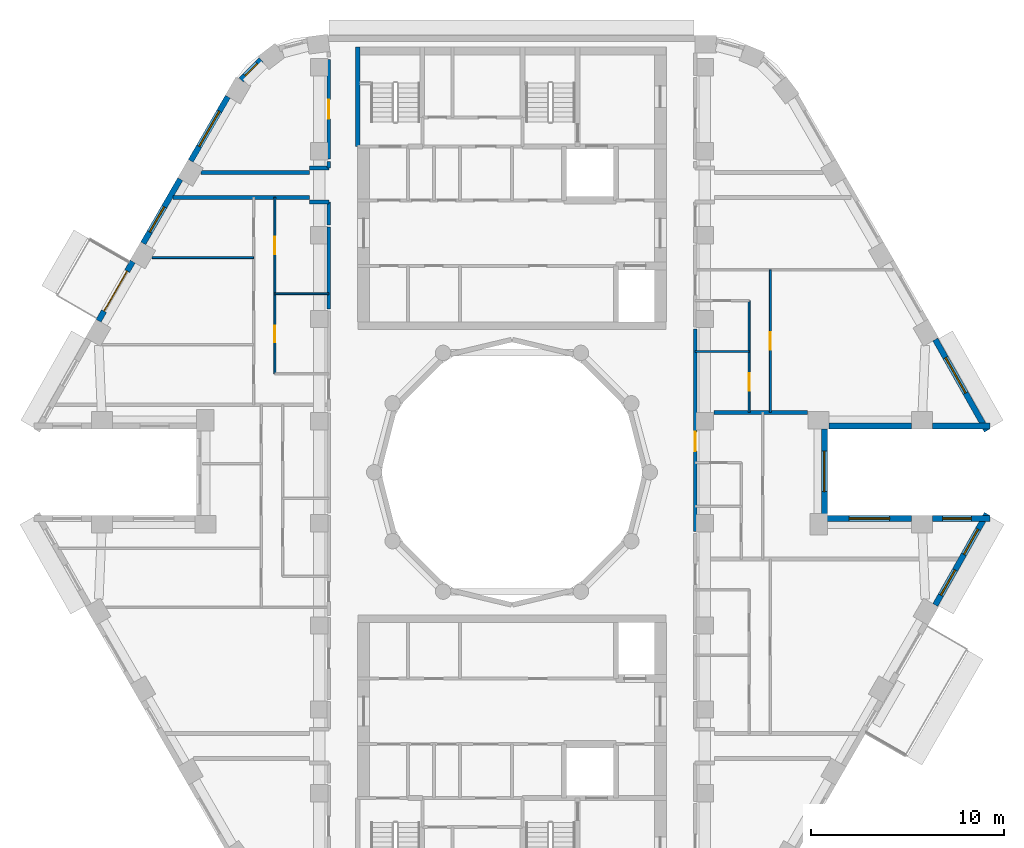
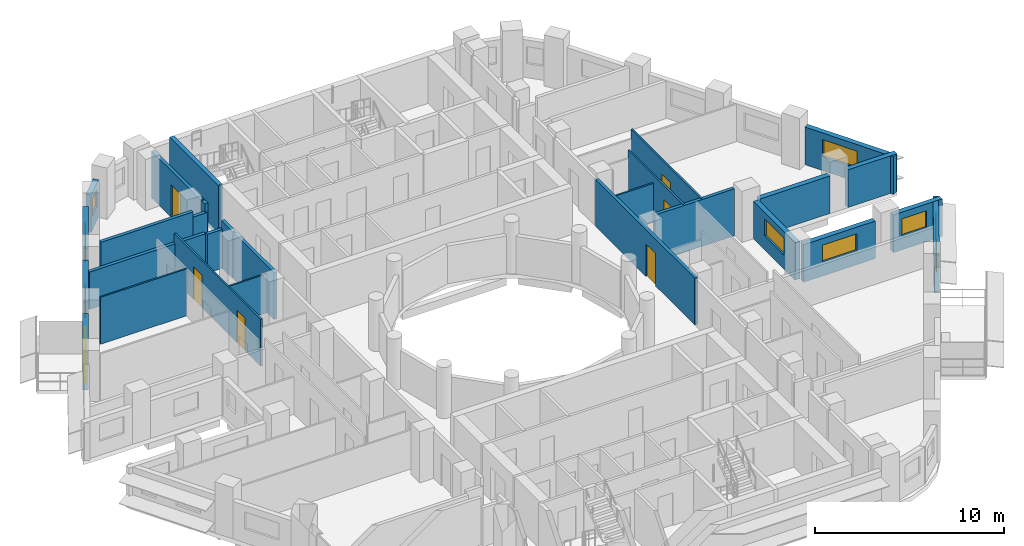
# One storey, part 6 of 14: 28 walls, 9 windows, 7 doors, 16 openings.
"""IFC4 building model written with IfcOpenShell, lengths in metres."""

import ifcopenshell
import ifcopenshell.guid

model = None  # the IFC model being written
_history = None  # IfcOwnerHistory: only IFC2X3 demands one
_inside = {}  # id of a spatial element -> (the spatial element, [elements in it])
_under = {}  # id of a project, library or spatial element -> (it, [spatial elements below it])
_declared = {}  # id of a project -> (the project, [libraries it declares])
_typed = {}  # id of a type object -> (the type object, [elements of that type])
_made_of = {}  # id of a material, layer set ... -> (it, [elements and type objects made of it])


def new_model(schema):
    """Start an empty IFC model of exactly this schema.

    Asked for "IFC4X3", IfcOpenShell would pick the latest addendum, in which some entities
    have other attributes; the version numbers below select the first issue.
    IFC2X3 requires an IfcOwnerHistory on every rooted entity: one is made here for all.
    """
    global model, _history
    if schema == "IFC4X3":
        model = ifcopenshell.file(schema_version=(4, 3, 0, 0))
    else:
        model = ifcopenshell.file(schema=schema)
    _inside.clear()
    _under.clear()
    _declared.clear()
    _typed.clear()
    _made_of.clear()
    _history = None
    if model.schema == "IFC2X3":
        org = make("IfcOrganization", Name="unknown")
        user = make(
            "IfcPersonAndOrganization",
            ThePerson=make("IfcPerson", FamilyName="unknown"),
            TheOrganization=org,
        )
        app = make(
            "IfcApplication",
            ApplicationDeveloper=org,
            Version="unknown",
            ApplicationFullName="unknown",
            ApplicationIdentifier="unknown",
        )
        _history = make(
            "IfcOwnerHistory",
            OwningUser=user,
            OwningApplication=app,
            ChangeAction="ADDED",
            CreationDate=0,
        )
    return model


def make(cls, **values):
    """One entity of the class cls with the attributes given. An attribute that is None is left unset."""
    return model.create_entity(
        cls, **{name: value for name, value in values.items() if value is not None}
    )


def rooted(cls, **values):
    """An entity with a GlobalId (a new one), such as an element, a storey or a relation."""
    return make(cls, GlobalId=ifcopenshell.guid.new(), OwnerHistory=_history, **values)


def si_unit(unit_type, name, prefix=None):
    """IfcSIUnit, for example si_unit("LENGTHUNIT", "METRE", prefix="MILLI")."""
    return make("IfcSIUnit", UnitType=unit_type, Prefix=prefix, Name=name)


def assignment(units):
    """IfcUnitAssignment: the units of a project."""
    return None if units is None else make("IfcUnitAssignment", Units=units)


def point(xyz):
    """IfcCartesianPoint."""
    return None if xyz is None else make("IfcCartesianPoint", Coordinates=xyz)


def direction(xyz):
    """IfcDirection."""
    return None if xyz is None else make("IfcDirection", DirectionRatios=xyz)


def frame(location, z_axis=None, x_axis=None):
    """IfcAxis2Placement3D, a coordinate frame: its origin and axes. An axis left out is left unset."""
    return make(
        "IfcAxis2Placement3D",
        Location=point(location),
        Axis=direction(z_axis),
        RefDirection=direction(x_axis),
    )


def frame_2d(location, x_axis=None):
    """IfcAxis2Placement2D, a coordinate frame in the plane: its origin and x axis."""
    return make(
        "IfcAxis2Placement2D", Location=point(location), RefDirection=direction(x_axis)
    )


def origin():
    """The frame at (0, 0, 0) with its axes left unset."""
    return frame((0.0, 0.0, 0.0))


def place(relative_to, where):
    """IfcLocalPlacement: puts the frame where relative to a parent placement (None: the world)."""
    return make(
        "IfcLocalPlacement", PlacementRelTo=relative_to, RelativePlacement=where
    )


def context(
    kind, dimensions, precision=None, world=None, true_north=None, identifier=None
):
    """IfcGeometricRepresentationContext, for example the 3D "Model" context."""
    return make(
        "IfcGeometricRepresentationContext",
        ContextIdentifier=identifier,
        ContextType=kind,
        CoordinateSpaceDimension=dimensions,
        Precision=precision,
        WorldCoordinateSystem=world,
        TrueNorth=true_north,
    )


def subcontext(parent, identifier, kind, view, scale=None):
    """IfcGeometricRepresentationSubContext, for example "Body" below "Model"."""
    return make(
        "IfcGeometricRepresentationSubContext",
        ContextIdentifier=identifier,
        ContextType=kind,
        ParentContext=parent,
        TargetScale=scale,
        TargetView=view,
    )


def project(units=None, contexts=None):
    """IfcProject with its units and contexts."""
    return rooted(
        "IfcProject",
        Name="project",
        RepresentationContexts=contexts,
        UnitsInContext=assignment(units),
    )


def spatial(cls, under=None, at=None, **own):
    """A site, building, storey or space (cls), placed at a placement, below another one or the project."""
    s = rooted(cls, ObjectPlacement=at, **own)
    if under is not None:
        _under.setdefault(under.id(), (under, []))[1].append(s)
    return s


def profile(cls, at=None, kind="AREA", **sizes):
    """A parametric profile (cls). Its sizes go by their IFC names, for example OverallWidth=200.0."""
    return make(cls, ProfileType=kind, Position=at, **sizes)


def rectangle(**sizes):
    """IfcRectangleProfileDef."""
    return profile("IfcRectangleProfileDef", **sizes)


def extrude(swept, where, along, depth):
    """IfcExtrudedAreaSolid: the profile swept, set in the frame where, extruded along a direction by depth."""
    return make(
        "IfcExtrudedAreaSolid",
        SweptArea=swept,
        Position=where,
        ExtrudedDirection=direction(along),
        Depth=depth,
    )


def shape(context_of_items, identifier, shape_type, items):
    """IfcShapeRepresentation: the items that make up one representation, for example the "Body"."""
    return make(
        "IfcShapeRepresentation",
        ContextOfItems=context_of_items,
        RepresentationIdentifier=identifier,
        RepresentationType=shape_type,
        Items=items,
    )


def material(Name=None, Category=None):
    """IfcMaterial."""
    return make("IfcMaterial", Name=Name, Category=Category)


def layer(
    of_material, thickness, ventilated=None, Name=None, Category=None, Priority=None
):
    """IfcMaterialLayer: one layer of a wall or slab, of a material (None: an air gap)."""
    return make(
        "IfcMaterialLayer",
        Material=of_material,
        LayerThickness=thickness,
        IsVentilated=ventilated,
        Name=Name,
        Category=Category,
        Priority=Priority,
    )


def layer_set(layers, Name=None):
    """IfcMaterialLayerSet."""
    return make("IfcMaterialLayerSet", MaterialLayers=layers, LayerSetName=Name)


def made_of(thing, what):
    """Note that an element or type object is made of a material, layer set ...; save() writes the relation."""
    if what is not None:
        _made_of.setdefault(what.id(), (what, []))[1].append(thing)
    return thing


def type_object(cls, material=None, **own):
    """A type object (cls), such as IfcWallType, which elements share."""
    return made_of(rooted(cls, **own), material)


def element(
    cls,
    number,
    at=None,
    inside=None,
    cuts=None,
    type_object=None,
    material=None,
    context=None,
    identifier="Body",
    shape_type=None,
    held_by="IfcProductDefinitionShape",
    body=None,
    shapes=None,
    **own,
):
    """One element of the class cls, such as IfcWall. Its Tag is "e" and its number.

    at: its placement. inside: the storey or other place that contains it. cuts: it is an
    opening in that element (IfcRelVoidsElement). A single representation is given by context,
    identifier, shape_type and body (its items); several are given by shapes. held_by: the class
    of the entity that holds the representations. save() writes the other relations.
    """
    e = rooted(cls, Tag="e%d" % number, ObjectPlacement=at, **own)
    if body is not None:
        shapes = [shape(context, identifier, shape_type, body)]
    if shapes is not None:
        e.Representation = make(held_by, Representations=shapes)
    if inside is not None:
        _inside.setdefault(inside.id(), (inside, []))[1].append(e)
    if cuts is not None:
        rooted(
            "IfcRelVoidsElement", RelatingBuildingElement=cuts, RelatedOpeningElement=e
        )
    if type_object is not None:
        _typed.setdefault(type_object.id(), (type_object, []))[1].append(e)
    return made_of(e, material)


def fill(opening, filler):
    """IfcRelFillsElement: the door or window that sits in an opening."""
    return rooted(
        "IfcRelFillsElement",
        RelatingOpeningElement=opening,
        RelatedBuildingElement=filler,
    )


def aggregate(whole, parts):
    """IfcRelAggregates: a whole, such as a stair, and the parts it consists of."""
    return rooted("IfcRelAggregates", RelatingObject=whole, RelatedObjects=parts)


def save(model, path):
    """Write the relations noted so far, then the file.

    IfcRelAggregates (storeys below a building ...), IfcRelContainedInSpatialStructure (elements
    in a storey), IfcRelDefinesByType, IfcRelAssociatesMaterial and IfcRelDeclares: one each for
    every whole, place, type object, material and project.
    """
    for whole, parts in _under.values():
        aggregate(whole, parts)
    for where, things in _inside.values():
        rooted(
            "IfcRelContainedInSpatialStructure",
            RelatedElements=things,
            RelatingStructure=where,
        )
    for kind, things in _typed.values():
        rooted("IfcRelDefinesByType", RelatedObjects=things, RelatingType=kind)
    for what, things in _made_of.values():
        rooted("IfcRelAssociatesMaterial", RelatedObjects=things, RelatingMaterial=what)
    for by, libraries in _declared.values():
        rooted("IfcRelDeclares", RelatingContext=by, RelatedDefinitions=libraries)
    model.write(path)


model = new_model("IFC4")

# Units and contexts
model_context = context("Model", 3, precision=1e-05, world=origin(), true_north=direction((0.0, 1.0)))
body_context = subcontext(model_context, "Body", "Model", "MODEL_VIEW")
ifc_project = project(units=[si_unit("LENGTHUNIT", "METRE"), si_unit("AREAUNIT", "SQUARE_METRE"), si_unit("VOLUMEUNIT", "CUBIC_METRE"), si_unit("PLANEANGLEUNIT", "RADIAN"), si_unit("MASSUNIT", "GRAM", prefix="KILO")], contexts=[model_context])

# Site, building, storey
site_placement = place(None, origin())
site = spatial("IfcSite", under=ifc_project, at=site_placement, CompositionType="ELEMENT")
building_placement = place(site_placement, origin())
building = spatial("IfcBuilding", under=site, at=building_placement, Name="Nakaniwa Court", CompositionType="ELEMENT")
storey_placement = place(building_placement, frame((0.0, 0.0, 259.199951171875)))
storey = spatial("IfcBuildingStorey", under=building, at=storey_placement, Name="L68", CompositionType="ELEMENT", Elevation=259.199951171875)

# Wall, opening, door
ifc_material_1 = material(Name="Acoustic double stud partition")
ifc_layer_1 = layer(ifc_material_1, 0.199951171875)
ifc_layer_set_1 = layer_set([ifc_layer_1], Name="Acoustic double stud partition")
wall_type_1 = type_object("IfcWallType", Name="Acoustic double stud partition 200", PredefinedType="PARTITIONING", material=ifc_layer_set_1)
wall_1_placement = place(storey_placement, frame((89.5, 87.423095703125, 0.0), z_axis=(0.0, 0.0, 1.0), x_axis=(0.0, -1.0, 0.0)))
wall_1 = element("IfcWall", 1, at=wall_1_placement, inside=storey, type_object=wall_type_1, Name="Partition PW-062", PredefinedType="PARTITIONING", context=body_context, shape_type="SweptSolid", body=[
    extrude(rectangle(XDim=10.486083984375, YDim=0.199951171875, at=frame_2d((5.2431640625, 0.0))), origin(), (0.0, 0.0, 1.0), 3.025146484375),
])
opening_1_placement = place(wall_1_placement, frame((5.322998046875, 0.0, 0.0)))
opening_1 = element("IfcOpeningElement", 2, at=opening_1_placement, cuts=wall_1, Name="Opening D-01-02", PredefinedType="OPENING", context=body_context, shape_type="SweptSolid", body=[
    extrude(rectangle(XDim=1.0, YDim=2.10009765625, at=frame_2d((0.5, 1.050048828125))), frame((0.0, 0.10986328125, 0.0), z_axis=(0.0, -1.0, 0.0), x_axis=(1.0, 0.0, 0.0)), (0.0, 0.0, 1.0), 0.219970703125),
])
ifc_material_2 = material(Name="Solid core timber door set, black veneer", Category="wood")
door_type_1 = type_object("IfcDoorType", Name="Flat entrance door 1000", OperationType="NOTDEFINED", PredefinedType="DOOR", material=ifc_material_2)
door_1_placement = place(opening_1_placement, origin())
door_1 = element("IfcDoor", 3, at=door_1_placement, inside=storey, type_object=door_type_1, Name="Door D-01-02 L68-033", OperationType="SINGLE_SWING_RIGHT", OverallHeight=2.10009765625, OverallWidth=1.0, PredefinedType="DOOR", context=body_context, shape_type="SweptSolid", body=[
    extrude(rectangle(XDim=1.0, YDim=2.10009765625, at=frame_2d((0.5, 1.050048828125))), frame((0.0, 0.02490234375, 0.0), z_axis=(0.0, -1.0, 0.0), x_axis=(1.0, 0.0, 0.0)), (0.0, 0.0, 1.0), 0.050048828125),
])
fill(opening_1, door_1)

# Walls
wall_2_placement = place(storey_placement, frame((62.419677734375, 94.25, 0.0), z_axis=(0.0, 0.0, 1.0), x_axis=(1.0, 0.0, 0.0)))
element("IfcWall", 4, at=wall_2_placement, inside=storey, type_object=wall_type_1, Name="Partition PW-068", PredefinedType="PARTITIONING", context=body_context, shape_type="SweptSolid", body=[
    extrude(rectangle(XDim=7.080322265625, YDim=0.199951171875, at=frame_2d((3.5400390625, 0.0))), origin(), (0.0, 0.0, 1.0), 2.405029296875),
])
for number, where, z_axis, x_axis, name in (
    (5, (69.5, 94.02490234375, 0.0), (0.0, 0.0, 1.0), (1.0, 0.0, 0.0), "Partition PW-070"),
    (6, (69.5, 95.77490234375, 0.0), (0.0, 0.0, 1.0), (1.0, 0.0, 0.0), "Partition PW-072"),
):
    element("IfcWall", number, at=place(storey_placement, frame(where, z_axis=z_axis, x_axis=x_axis)), inside=storey, type_object=wall_type_1, Name=name, PredefinedType="PARTITIONING", context=body_context, shape_type="SweptSolid", body=[
        extrude(rectangle(XDim=1.0, YDim=0.199951171875, at=frame_2d((0.5, 0.0))), origin(), (0.0, 0.0, 1.0), 2.505126953125),
    ])
wall_3_placement = place(storey_placement, frame((63.88330078125, 95.550048828125, 0.0), z_axis=(0.0, 0.0, 1.0), x_axis=(1.0, 0.0, 0.0)))
element("IfcWall", 7, at=wall_3_placement, inside=storey, type_object=wall_type_1, Name="Partition PW-074", PredefinedType="PARTITIONING", context=body_context, shape_type="SweptSolid", body=[
    extrude(rectangle(XDim=5.61669921875, YDim=0.199951171875, at=frame_2d((2.808349609375, 0.0))), origin(), (0.0, 0.0, 1.0), 3.025146484375),
])
wall_4_placement = place(storey_placement, frame((70.5, 88.47705078125, 0.0), z_axis=(0.0, 0.0, 1.0), x_axis=(0.0, 1.0, 0.0)))
element("IfcWall", 8, at=wall_4_placement, inside=storey, type_object=wall_type_1, Name="Partition PW-092", PredefinedType="PARTITIONING", context=body_context, shape_type="SweptSolid", body=[
    extrude(rectangle(XDim=4.23583984375, YDim=0.199951171875, at=frame_2d((2.117919921875, 0.0))), origin(), (0.0, 0.0, 1.0), 3.025146484375),
])
wall_5_placement = place(storey_placement, frame((70.5, 92.826904296875, 0.0), z_axis=(0.0, 0.0, 1.0), x_axis=(0.0, 1.0, 0.0)))
element("IfcWall", 9, at=wall_5_placement, inside=storey, type_object=wall_type_1, Name="Partition PW-093", PredefinedType="PARTITIONING", context=body_context, shape_type="SweptSolid", body=[
    extrude(rectangle(XDim=1.201171875, YDim=0.199951171875, at=frame_2d((0.6005859375, 0.0))), origin(), (0.0, 0.0, 1.0), 3.025146484375),
])
wall_6_placement = place(storey_placement, frame((70.5, 95.77197265625, 0.0), z_axis=(0.0, 0.0, 1.0), x_axis=(0.0, 1.0, 0.0)))
element("IfcWall", 10, at=wall_6_placement, inside=storey, type_object=wall_type_1, Name="Partition PW-094", PredefinedType="PARTITIONING", context=body_context, shape_type="SweptSolid", body=[
    extrude(rectangle(XDim=0.35107421875, YDim=0.199951171875, at=frame_2d((0.175537109375, 0.0))), origin(), (0.0, 0.0, 1.0), 3.025146484375),
])

# Wall, opening, door
wall_7_placement = place(storey_placement, frame((70.5, 96.237060546875, 0.0), z_axis=(0.0, 0.0, 1.0), x_axis=(0.0, 1.0, 0.0)))
wall_7 = element("IfcWall", 11, at=wall_7_placement, inside=storey, type_object=wall_type_1, Name="Partition PW-095", PredefinedType="PARTITIONING", context=body_context, shape_type="SweptSolid", body=[
    extrude(rectangle(XDim=5.176025390625, YDim=0.199951171875, at=frame_2d((2.587890625, 0.0))), origin(), (0.0, 0.0, 1.0), 3.025146484375),
])
opening_2_placement = place(wall_7_placement, frame((2.087890625, 0.0, 0.0)))
opening_2 = element("IfcOpeningElement", 12, at=opening_2_placement, cuts=wall_7, Name="Opening D-02-02", PredefinedType="OPENING", context=body_context, shape_type="SweptSolid", body=[
    extrude(rectangle(XDim=1.0, YDim=2.10009765625, at=frame_2d((0.5, 1.050048828125))), frame((0.0, 0.10986328125, 0.0), z_axis=(0.0, -1.0, 0.0), x_axis=(1.0, 0.0, 0.0)), (0.0, 0.0, 1.0), 0.219970703125),
])
door_type_2 = type_object("IfcDoorType", Name="Internal door 1000", OperationType="NOTDEFINED", PredefinedType="DOOR", material=ifc_material_2)
door_2_placement = place(opening_2_placement, origin())
door_2 = element("IfcDoor", 13, at=door_2_placement, inside=storey, type_object=door_type_2, Name="Door D-02-02 L68-054", OperationType="SINGLE_SWING_LEFT", OverallHeight=2.10009765625, OverallWidth=1.0, PredefinedType="DOOR", context=body_context, shape_type="SweptSolid", body=[
    extrude(rectangle(XDim=1.0, YDim=2.10009765625, at=frame_2d((0.5, 1.050048828125))), frame((0.0, 0.02490234375, 0.0), z_axis=(0.0, -1.0, 0.0), x_axis=(1.0, 0.0, 0.0)), (0.0, 0.0, 1.0), 0.050048828125),
])
fill(opening_2, door_2)

# Walls
wall_8_placement = place(storey_placement, frame((90.469970703125, 83.10009765625, 0.0), z_axis=(0.0, 0.0, 1.0), x_axis=(1.0, 0.0, 0.0)))
element("IfcWall", 14, at=wall_8_placement, inside=storey, type_object=wall_type_1, Name="Partition PW-108", PredefinedType="PARTITIONING", context=body_context, shape_type="SweptSolid", body=[
    extrude(rectangle(XDim=4.859619140625, YDim=0.199951171875, at=frame_2d((2.4296875, 0.0))), origin(), (0.0, 0.0, 1.0), 3.025146484375),
])
ifc_material_3 = material(Name="Charcoal ceramic cladding")
ifc_layer_2 = layer(ifc_material_3, 0.02, Name="Ceramic cladding")
ifc_material_4 = material(Name="Ventilated air cavity")
ifc_layer_3 = layer(ifc_material_4, 0.04, ventilated=True, Name="Ventilated cavity")
ifc_material_5 = material(Name="Mineral wool insulation")
ifc_layer_4 = layer(ifc_material_5, 0.1, Name="Insulation")
ifc_material_6 = material(Name="Cement bonded sheathing board")
ifc_layer_5 = layer(ifc_material_6, 0.012, Name="Sheathing")
ifc_material_7 = material(Name="Cold-formed galvanised stud frame with mineral wool infill")
ifc_layer_6 = layer(ifc_material_7, 0.1, Name="Stud frame")
ifc_material_8 = material(Name="Fire-rated gypsum plasterboard lining")
ifc_layer_7 = layer(ifc_material_8, 0.028, Name="Lining")
ifc_layer_set_2 = layer_set([ifc_layer_2, ifc_layer_3, ifc_layer_4, ifc_layer_5, ifc_layer_6, ifc_layer_7], Name="Charcoal ceramic faced external wall system")
wall_type_2 = type_object("IfcWallType", Name="Black ceramic faced external wall 300", PredefinedType="SOLIDWALL", material=ifc_layer_set_2)
wall_9_placement = place(storey_placement, frame((96.445556640625, 82.39990234375, 0.0), z_axis=(0.0, 0.0, 1.0), x_axis=(1.0, 0.0, 0.0)))
element("IfcWall", 15, at=wall_9_placement, inside=storey, type_object=wall_type_2, Name="L68 external wall 00", PredefinedType="SOLIDWALL", context=body_context, shape_type="SweptSolid", body=[
    extrude(rectangle(XDim=4.2724609375, YDim=0.300048828125, at=frame_2d((2.13623046875, 0.0))), origin(), (0.0, 0.0, 1.0), 2.425048828125),
])
wall_10_placement = place(storey_placement, frame((101.81005859375, 82.39990234375, 0.0), z_axis=(0.0, 0.0, 1.0), x_axis=(1.0, 0.0, 0.0)))
element("IfcWall", 16, at=wall_10_placement, inside=storey, type_object=wall_type_2, Name="L68 external wall 01", PredefinedType="SOLIDWALL", context=body_context, shape_type="SweptSolid", body=[
    extrude(rectangle(XDim=2.98779296875, YDim=0.300048828125, at=frame_2d((1.493896484375, 0.0))), origin(), (0.0, 0.0, 1.0), 2.425048828125),
])

# Wall, opening, window
wall_11_placement = place(storey_placement, frame((104.627197265625, 82.153564453125, 0.0), z_axis=(0.0, 0.0, 1.0), x_axis=(-0.492080931903, 0.870549456641, 0.0)))
wall_11 = element("IfcWall", 17, at=wall_11_placement, inside=storey, type_object=wall_type_2, Name="L68 external wall 02", PredefinedType="SOLIDWALL", context=body_context, shape_type="SweptSolid", body=[
    extrude(rectangle(XDim=5.436767578125, YDim=0.300048828125, at=frame_2d((2.71826171875, 0.0))), origin(), (0.0, 0.0, 1.0), 2.425048828125),
])
opening_3_placement = place(wall_11_placement, frame((2.247314453125, 0.0, 0.89990234375)))
opening_3 = element("IfcOpeningElement", 18, at=opening_3_placement, cuts=wall_11, Name="Opening W7.01", PredefinedType="OPENING", context=body_context, shape_type="SweptSolid", body=[
    extrude(rectangle(XDim=2.10009765625, YDim=1.10009765625, at=frame_2d((1.050048828125, 0.550048828125))), frame((0.0, 0.159912109375, 0.0), z_axis=(0.0, -1.0, 0.0), x_axis=(1.0, 0.0, 0.0)), (0.0, 0.0, 1.0), 0.320068359375),
])
ifc_material_9 = material(Name="Black anodised aluminium frame with dark low-E laminated double glazing", Category="aluminium")
window_type_1 = type_object("IfcWindowType", Name="Dark glass window 2100x1100 sill 900", PartitioningType="SINGLE_PANEL", PredefinedType="WINDOW", material=ifc_material_9)
window_1_placement = place(opening_3_placement, origin())
window_1 = element("IfcWindow", 19, at=window_1_placement, inside=storey, type_object=window_type_1, Name="L68 living window 02-0", OverallHeight=1.10009765625, OverallWidth=2.10009765625, PartitioningType="SINGLE_PANEL", PredefinedType="WINDOW", context=body_context, shape_type="SweptSolid", body=[
    extrude(rectangle(XDim=2.10009765625, YDim=1.10009765625, at=frame_2d((1.050048828125, 0.550048828125))), frame((0.0, 0.030029296875, 0.0), z_axis=(0.0, -1.0, 0.0), x_axis=(1.0, 0.0, 0.0)), (0.0, 0.0, 1.0), 0.06005859375),
])
fill(opening_3, window_1)

wall_12_placement = place(storey_placement, frame((66.99560546875, 101.388427734375, 0.0), z_axis=(0.0, 0.0, 1.0), x_axis=(-0.708589353117, -0.705621094249, 0.0)))
wall_12 = element("IfcWall", 20, at=wall_12_placement, inside=storey, type_object=wall_type_2, Name="L68 external wall 10", PredefinedType="SOLIDWALL", context=body_context, shape_type="SweptSolid", body=[
    extrude(rectangle(XDim=1.48046875, YDim=0.300048828125, at=frame_2d((0.740234375, 0.0))), origin(), (0.0, 0.0, 1.0), 2.425048828125),
])
opening_4_placement = place(wall_12_placement, frame((0.27978515625, 0.0, 0.89990234375)))
opening_4 = element("IfcOpeningElement", 21, at=opening_4_placement, cuts=wall_12, Name="Opening W9.08", PredefinedType="OPENING", context=body_context, shape_type="SweptSolid", body=[
    extrude(rectangle(XDim=0.89990234375, YDim=1.10009765625, at=frame_2d((0.449951171875, 0.550048828125))), frame((0.0, 0.159912109375, 0.0), z_axis=(0.0, -1.0, 0.0), x_axis=(1.0, 0.0, 0.0)), (0.0, 0.0, 1.0), 0.320068359375),
])
window_type_2 = type_object("IfcWindowType", Name="Dark glass window 900x1100 sill 900", PartitioningType="SINGLE_PANEL", PredefinedType="WINDOW", material=ifc_material_9)
window_2_placement = place(opening_4_placement, origin())
window_2 = element("IfcWindow", 22, at=window_2_placement, inside=storey, type_object=window_type_2, Name="L68 habitable room window 10-0", OverallHeight=1.10009765625, OverallWidth=0.89990234375, PartitioningType="SINGLE_PANEL", PredefinedType="WINDOW", context=body_context, shape_type="SweptSolid", body=[
    extrude(rectangle(XDim=0.89990234375, YDim=1.10009765625, at=frame_2d((0.449951171875, 0.550048828125))), frame((0.0, 0.030029296875, 0.0), z_axis=(0.0, -1.0, 0.0), x_axis=(1.0, 0.0, 0.0)), (0.0, 0.0, 1.0), 0.06005859375),
])
fill(opening_4, window_2)

wall_13_placement = place(storey_placement, frame((65.26416015625, 99.476806640625, 0.0), z_axis=(0.0, 0.0, 1.0), x_axis=(-0.499984490703, -0.866034357896, 0.0)))
wall_13 = element("IfcWall", 23, at=wall_13_placement, inside=storey, type_object=wall_type_2, Name="L68 external wall 11", PredefinedType="SOLIDWALL", context=body_context, shape_type="SweptSolid", body=[
    extrude(rectangle(XDim=3.84423828125, YDim=0.300048828125, at=frame_2d((1.922119140625, 0.0))), origin(), (0.0, 0.0, 1.0), 2.425048828125),
])
opening_5_placement = place(wall_13_placement, frame((0.8720703125, 0.0, 0.89990234375)))
opening_5 = element("IfcOpeningElement", 24, at=opening_5_placement, cuts=wall_13, Name="Opening W7.09", PredefinedType="OPENING", context=body_context, shape_type="SweptSolid", body=[
    extrude(rectangle(XDim=2.10009765625, YDim=1.10009765625, at=frame_2d((1.050048828125, 0.550048828125))), frame((0.0, 0.159912109375, 0.0), z_axis=(0.0, -1.0, 0.0), x_axis=(1.0, 0.0, 0.0)), (0.0, 0.0, 1.0), 0.320068359375),
])
window_3_placement = place(opening_5_placement, origin())
window_3 = element("IfcWindow", 25, at=window_3_placement, inside=storey, type_object=window_type_1, Name="L68 habitable room window 11-0", OverallHeight=1.10009765625, OverallWidth=2.10009765625, PartitioningType="SINGLE_PANEL", PredefinedType="WINDOW", context=body_context, shape_type="SweptSolid", body=[
    extrude(rectangle(XDim=2.10009765625, YDim=1.10009765625, at=frame_2d((1.050048828125, 0.550048828125))), frame((0.0, 0.030029296875, 0.0), z_axis=(0.0, -1.0, 0.0), x_axis=(1.0, 0.0, 0.0)), (0.0, 0.0, 1.0), 0.06005859375),
])
fill(opening_5, window_3)

wall_14_placement = place(storey_placement, frame((62.7958984375, 95.201904296875, 0.0), z_axis=(0.0, 0.0, 1.0), x_axis=(-0.499984490703, -0.866034357896, 0.0)))
wall_14 = element("IfcWall", 26, at=wall_14_placement, inside=storey, type_object=wall_type_2, Name="L68 external wall 12", PredefinedType="SOLIDWALL", context=body_context, shape_type="SweptSolid", body=[
    extrude(rectangle(XDim=3.84423828125, YDim=0.300048828125, at=frame_2d((1.922119140625, 0.0))), origin(), (0.0, 0.0, 1.0), 2.425048828125),
])
opening_6_placement = place(wall_14_placement, frame((1.66064453125, 0.0, 0.89990234375)))
opening_6 = element("IfcOpeningElement", 27, at=opening_6_placement, cuts=wall_14, Name="Opening W5.10", PredefinedType="OPENING", context=body_context, shape_type="SweptSolid", body=[
    extrude(rectangle(XDim=1.5, YDim=1.10009765625, at=frame_2d((0.75, 0.550048828125))), frame((0.0, 0.159912109375, 0.0), z_axis=(0.0, -1.0, 0.0), x_axis=(1.0, 0.0, 0.0)), (0.0, 0.0, 1.0), 0.320068359375),
])
window_type_3 = type_object("IfcWindowType", Name="Dark glass window 1500x1100 sill 900", PartitioningType="SINGLE_PANEL", PredefinedType="WINDOW", material=ifc_material_9)
window_4_placement = place(opening_6_placement, origin())
window_4 = element("IfcWindow", 28, at=window_4_placement, inside=storey, type_object=window_type_3, Name="L68 bedroom window 12-1", OverallHeight=1.10009765625, OverallWidth=1.5, PartitioningType="SINGLE_PANEL", PredefinedType="WINDOW", context=body_context, shape_type="SweptSolid", body=[
    extrude(rectangle(XDim=1.5, YDim=1.10009765625, at=frame_2d((0.75, 0.550048828125))), frame((0.0, 0.030029296875, 0.0), z_axis=(0.0, -1.0, 0.0), x_axis=(1.0, 0.0, 0.0)), (0.0, 0.0, 1.0), 0.06005859375),
])
fill(opening_6, window_4)

# Wall, opening, door
wall_15_placement = place(storey_placement, frame((60.327880859375, 90.927001953125, 0.0), z_axis=(0.0, 0.0, 1.0), x_axis=(-0.500010404316, -0.866019396766, 0.0)))
wall_15 = element("IfcWall", 29, at=wall_15_placement, inside=storey, type_object=wall_type_2, Name="L68 external wall 13", PredefinedType="SOLIDWALL", context=body_context, shape_type="SweptSolid", body=[
    extrude(rectangle(XDim=3.54736328125, YDim=0.300048828125, at=frame_2d((1.773681640625, 0.0))), origin(), (0.0, 0.0, 1.0), 2.425048828125),
])
opening_7_placement = place(wall_15_placement, frame((0.573486328125, 0.0, 0.0)))
opening_7 = element("IfcOpeningElement", 30, at=opening_7_placement, cuts=wall_15, Name="Opening XD13.01", PredefinedType="OPENING", context=body_context, shape_type="SweptSolid", body=[
    extrude(rectangle(XDim=2.39990234375, YDim=2.0, at=frame_2d((1.199951171875, 1.0))), frame((0.0, 0.159912109375, 0.0), z_axis=(0.0, -1.0, 0.0), x_axis=(1.0, 0.0, 0.0)), (0.0, 0.0, 1.0), 0.320068359375),
])
ifc_material_10 = material(Name="Black powder-coated aluminium frame with dark laminated glass", Category="aluminium")
door_type_3 = type_object("IfcDoorType", Name="Balcony sliding door 2400x2000", OperationType="DOUBLE_DOOR_SLIDING", PredefinedType="DOOR", material=ifc_material_10)
door_3_placement = place(opening_7_placement, origin())
door_3 = element("IfcDoor", 31, at=door_3_placement, inside=storey, type_object=door_type_3, Name="L68 balcony sliding door 01", OperationType="DOUBLE_DOOR_SLIDING", OverallHeight=2.0, OverallWidth=2.39990234375, PredefinedType="DOOR", context=body_context, shape_type="SweptSolid", body=[
    extrude(rectangle(XDim=2.39990234375, YDim=2.0, at=frame_2d((1.199951171875, 1.0))), frame((0.0, 0.02490234375, 0.0), z_axis=(0.0, -1.0, 0.0), x_axis=(1.0, 0.0, 0.0)), (0.0, 0.0, 1.0), 0.050048828125),
])
fill(opening_7, door_3)

# Wall, openings, windows
wall_16_placement = place(storey_placement, frame((101.951904296875, 73.113525390625, 0.0), z_axis=(0.0, 0.0, 1.0), x_axis=(0.492080931903, 0.870549456641, 0.0)))
wall_16 = element("IfcWall", 32, at=wall_16_placement, inside=storey, type_object=wall_type_2, Name="L68 external wall 32", PredefinedType="SOLIDWALL", context=body_context, shape_type="SweptSolid", body=[
    extrude(rectangle(XDim=5.436767578125, YDim=0.300048828125, at=frame_2d((2.71826171875, 0.0))), origin(), (0.0, 0.0, 1.0), 2.425048828125),
])
opening_8_placement = place(wall_16_placement, frame((0.58544921875, 0.0, 0.89990234375)))
opening_8 = element("IfcOpeningElement", 33, at=opening_8_placement, cuts=wall_16, Name="Opening W5.30", PredefinedType="OPENING", context=body_context, shape_type="SweptSolid", body=[
    extrude(rectangle(XDim=1.5, YDim=1.10009765625, at=frame_2d((0.75, 0.550048828125))), frame((0.0, 0.159912109375, 0.0), z_axis=(0.0, -1.0, 0.0), x_axis=(1.0, 0.0, 0.0)), (0.0, 0.0, 1.0), 0.320068359375),
])
opening_9_placement = place(wall_16_placement, frame((3.01513671875, 0.0, 0.89990234375)))
opening_9 = element("IfcOpeningElement", 34, at=opening_9_placement, cuts=wall_16, Name="Opening W5.31", PredefinedType="OPENING", context=body_context, shape_type="SweptSolid", body=[
    extrude(rectangle(XDim=1.5, YDim=1.10009765625, at=frame_2d((0.75, 0.550048828125))), frame((0.0, 0.159912109375, 0.0), z_axis=(0.0, -1.0, 0.0), x_axis=(1.0, 0.0, 0.0)), (0.0, 0.0, 1.0), 0.320068359375),
])
window_5_placement = place(opening_8_placement, origin())
window_5 = element("IfcWindow", 35, at=window_5_placement, inside=storey, type_object=window_type_3, Name="L68 living window 32-0", OverallHeight=1.10009765625, OverallWidth=1.5, PartitioningType="SINGLE_PANEL", PredefinedType="WINDOW", context=body_context, shape_type="SweptSolid", body=[
    extrude(rectangle(XDim=1.5, YDim=1.10009765625, at=frame_2d((0.75, 0.550048828125))), frame((0.0, 0.030029296875, 0.0), z_axis=(0.0, -1.0, 0.0), x_axis=(1.0, 0.0, 0.0)), (0.0, 0.0, 1.0), 0.06005859375),
])
fill(opening_8, window_5)
window_6_placement = place(opening_9_placement, origin())
window_6 = element("IfcWindow", 36, at=window_6_placement, inside=storey, type_object=window_type_3, Name="L68 living window 32-1", OverallHeight=1.10009765625, OverallWidth=1.5, PartitioningType="SINGLE_PANEL", PredefinedType="WINDOW", context=body_context, shape_type="SweptSolid", body=[
    extrude(rectangle(XDim=1.5, YDim=1.10009765625, at=frame_2d((0.75, 0.550048828125))), frame((0.0, 0.030029296875, 0.0), z_axis=(0.0, -1.0, 0.0), x_axis=(1.0, 0.0, 0.0)), (0.0, 0.0, 1.0), 0.06005859375),
])
fill(opening_9, window_6)

# Wall, opening, window
wall_17_placement = place(storey_placement, frame((104.7978515625, 77.60009765625, 0.0), z_axis=(0.0, 0.0, 1.0), x_axis=(-1.0, 0.0, 0.0)))
wall_17 = element("IfcWall", 37, at=wall_17_placement, inside=storey, type_object=wall_type_2, Name="L68 external wall 33", PredefinedType="SOLIDWALL", context=body_context, shape_type="SweptSolid", body=[
    extrude(rectangle(XDim=2.98779296875, YDim=0.300048828125, at=frame_2d((1.493896484375, 0.0))), origin(), (0.0, 0.0, 1.0), 2.425048828125),
])
opening_10_placement = place(wall_17_placement, frame((0.968994140625, 0.0, 0.89990234375)))
opening_10 = element("IfcOpeningElement", 38, at=opening_10_placement, cuts=wall_17, Name="Opening W5.32", PredefinedType="OPENING", context=body_context, shape_type="SweptSolid", body=[
    extrude(rectangle(XDim=1.5, YDim=1.10009765625, at=frame_2d((0.75, 0.550048828125))), frame((0.0, 0.159912109375, 0.0), z_axis=(0.0, -1.0, 0.0), x_axis=(1.0, 0.0, 0.0)), (0.0, 0.0, 1.0), 0.320068359375),
])
window_7_placement = place(opening_10_placement, origin())
window_7 = element("IfcWindow", 39, at=window_7_placement, inside=storey, type_object=window_type_3, Name="L68 living window 33-0", OverallHeight=1.10009765625, OverallWidth=1.5, PartitioningType="SINGLE_PANEL", PredefinedType="WINDOW", context=body_context, shape_type="SweptSolid", body=[
    extrude(rectangle(XDim=1.5, YDim=1.10009765625, at=frame_2d((0.75, 0.550048828125))), frame((0.0, 0.030029296875, 0.0), z_axis=(0.0, -1.0, 0.0), x_axis=(1.0, 0.0, 0.0)), (0.0, 0.0, 1.0), 0.06005859375),
])
fill(opening_10, window_7)

wall_18_placement = place(storey_placement, frame((100.718017578125, 77.60009765625, 0.0), z_axis=(0.0, 0.0, 1.0), x_axis=(-1.0, 0.0, 0.0)))
wall_18 = element("IfcWall", 40, at=wall_18_placement, inside=storey, type_object=wall_type_2, Name="L68 external wall 34", PredefinedType="SOLIDWALL", context=body_context, shape_type="SweptSolid", body=[
    extrude(rectangle(XDim=4.37255859375, YDim=0.300048828125, at=frame_2d((2.186279296875, 0.0))), origin(), (0.0, 0.0, 1.0), 2.425048828125),
])
opening_11_placement = place(wall_18_placement, frame((1.13623046875, 0.0, 0.89990234375)))
opening_11 = element("IfcOpeningElement", 41, at=opening_11_placement, cuts=wall_18, Name="Opening W7.33", PredefinedType="OPENING", context=body_context, shape_type="SweptSolid", body=[
    extrude(rectangle(XDim=2.10009765625, YDim=1.10009765625, at=frame_2d((1.050048828125, 0.550048828125))), frame((0.0, 0.159912109375, 0.0), z_axis=(0.0, -1.0, 0.0), x_axis=(1.0, 0.0, 0.0)), (0.0, 0.0, 1.0), 0.320068359375),
])
window_8_placement = place(opening_11_placement, origin())
window_8 = element("IfcWindow", 42, at=window_8_placement, inside=storey, type_object=window_type_1, Name="L68 living window 34-0", OverallHeight=1.10009765625, OverallWidth=2.10009765625, PartitioningType="SINGLE_PANEL", PredefinedType="WINDOW", context=body_context, shape_type="SweptSolid", body=[
    extrude(rectangle(XDim=2.10009765625, YDim=1.10009765625, at=frame_2d((1.050048828125, 0.550048828125))), frame((0.0, 0.030029296875, 0.0), z_axis=(0.0, -1.0, 0.0), x_axis=(1.0, 0.0, 0.0)), (0.0, 0.0, 1.0), 0.06005859375),
])
fill(opening_11, window_8)

wall_19_placement = place(storey_placement, frame((96.199462890625, 77.845947265625, 0.0), z_axis=(0.0, 0.0, 1.0), x_axis=(0.0, 1.0, 0.0)))
wall_19 = element("IfcWall", 43, at=wall_19_placement, inside=storey, type_object=wall_type_2, Name="L68 external wall 35", PredefinedType="SOLIDWALL", context=body_context, shape_type="SweptSolid", body=[
    extrude(rectangle(XDim=4.407958984375, YDim=0.300048828125, at=frame_2d((2.2041015625, 0.0))), origin(), (0.0, 0.0, 1.0), 2.425048828125),
])
opening_12_placement = place(wall_19_placement, frame((1.154052734375, 0.0, 0.89990234375)))
opening_12 = element("IfcOpeningElement", 44, at=opening_12_placement, cuts=wall_19, Name="Opening W7.34", PredefinedType="OPENING", context=body_context, shape_type="SweptSolid", body=[
    extrude(rectangle(XDim=2.10009765625, YDim=1.10009765625, at=frame_2d((1.050048828125, 0.550048828125))), frame((0.0, 0.159912109375, 0.0), z_axis=(0.0, -1.0, 0.0), x_axis=(1.0, 0.0, 0.0)), (0.0, 0.0, 1.0), 0.320068359375),
])
window_9_placement = place(opening_12_placement, origin())
window_9 = element("IfcWindow", 45, at=window_9_placement, inside=storey, type_object=window_type_1, Name="L68 living window 35-0", OverallHeight=1.10009765625, OverallWidth=2.10009765625, PartitioningType="SINGLE_PANEL", PredefinedType="WINDOW", context=body_context, shape_type="SweptSolid", body=[
    extrude(rectangle(XDim=2.10009765625, YDim=1.10009765625, at=frame_2d((1.050048828125, 0.550048828125))), frame((0.0, 0.030029296875, 0.0), z_axis=(0.0, -1.0, 0.0), x_axis=(1.0, 0.0, 0.0)), (0.0, 0.0, 1.0), 0.06005859375),
])
fill(opening_12, window_9)

# Wall
ifc_material_11 = material(Name="Concrete C80/100", Category="concrete")
ifc_layer_8 = layer(ifc_material_11, 0.25)
ifc_layer_set_3 = layer_set([ifc_layer_8], Name="Concrete C80/100")
wall_type_3 = type_object("IfcWallType", Name="Concrete core wall 250 C80", PredefinedType="SHEAR", material=ifc_layer_set_3)
wall_20_placement = place(storey_placement, frame((72.0, 96.89990234375, -0.27490234375), z_axis=(0.0, 0.0, 1.0), x_axis=(0.0, 1.0, 0.0)))
element("IfcWall", 46, at=wall_20_placement, inside=storey, type_object=wall_type_3, Name="Core wall SW-23", PredefinedType="SHEAR", context=body_context, shape_type="SweptSolid", body=[
    extrude(rectangle(XDim=5.150146484375, YDim=0.25, at=frame_2d((2.5751953125, 0.0))), origin(), (0.0, 0.0, 1.0), 3.300048828125),
])

# Wall, opening, door
ifc_material_12 = material(Name="Single stud plasterboard partition")
ifc_layer_9 = layer(ifc_material_12, 0.10009765625)
ifc_layer_set_4 = layer_set([ifc_layer_9], Name="Single stud plasterboard partition")
wall_type_4 = type_object("IfcWallType", Name="Single stud plasterboard partition 100", PredefinedType="PARTITIONING", material=ifc_layer_set_4)
wall_21_placement = place(storey_placement, frame((92.300048828125, 83.10009765625, 0.0), z_axis=(0.0, 0.0, 1.0), x_axis=(0.0, 1.0, 0.0)))
wall_21 = element("IfcWall", 47, at=wall_21_placement, inside=storey, type_object=wall_type_4, Name="Partition PW-099", PredefinedType="PARTITIONING", context=body_context, shape_type="SweptSolid", body=[
    extrude(rectangle(XDim=5.7998046875, YDim=0.10009765625, at=frame_2d((2.89990234375, 0.0))), origin(), (0.0, 0.0, 1.0), 3.025146484375),
])
opening_13_placement = place(wall_21_placement, frame((1.132080078125, 0.0, 0.0)))
opening_13 = element("IfcOpeningElement", 48, at=opening_13_placement, cuts=wall_21, Name="Opening D-33-05", PredefinedType="OPENING", context=body_context, shape_type="SweptSolid", body=[
    extrude(rectangle(XDim=0.89990234375, YDim=2.10009765625, at=frame_2d((0.449951171875, 1.050048828125))), frame((0.0, 0.06005859375, 0.0), z_axis=(0.0, -1.0, 0.0), x_axis=(1.0, 0.0, 0.0)), (0.0, 0.0, 1.0), 0.1201171875),
])
door_type_4 = type_object("IfcDoorType", Name="Internal door 900", OperationType="NOTDEFINED", PredefinedType="DOOR", material=ifc_material_2)
door_4_placement = place(opening_13_placement, origin())
door_4 = element("IfcDoor", 49, at=door_4_placement, inside=storey, type_object=door_type_4, Name="Door D-33-05 L68-038", OperationType="SINGLE_SWING_LEFT", OverallHeight=2.10009765625, OverallWidth=0.89990234375, PredefinedType="DOOR", context=body_context, shape_type="SweptSolid", body=[
    extrude(rectangle(XDim=0.89990234375, YDim=2.10009765625, at=frame_2d((0.449951171875, 1.050048828125))), frame((0.0, 0.02490234375, 0.0), z_axis=(0.0, -1.0, 0.0), x_axis=(1.0, 0.0, 0.0)), (0.0, 0.0, 1.0), 0.050048828125),
])
fill(opening_13, door_4)

wall_22_placement = place(storey_placement, frame((93.39990234375, 90.5, 0.0), z_axis=(0.0, 0.0, 1.0), x_axis=(0.0, -1.0, 0.0)))
wall_22 = element("IfcWall", 50, at=wall_22_placement, inside=storey, type_object=wall_type_4, Name="Partition PW-102", PredefinedType="PARTITIONING", context=body_context, shape_type="SweptSolid", body=[
    extrude(rectangle(XDim=7.39990234375, YDim=0.10009765625, at=frame_2d((3.699951171875, 0.0))), origin(), (0.0, 0.0, 1.0), 3.025146484375),
])
opening_14_placement = place(wall_22_placement, frame((3.25, 0.0, 0.0)))
opening_14 = element("IfcOpeningElement", 51, at=opening_14_placement, cuts=wall_22, Name="Opening D-33-06", PredefinedType="OPENING", context=body_context, shape_type="SweptSolid", body=[
    extrude(rectangle(XDim=0.89990234375, YDim=2.10009765625, at=frame_2d((0.449951171875, 1.050048828125))), frame((0.0, 0.06005859375, 0.0), z_axis=(0.0, -1.0, 0.0), x_axis=(1.0, 0.0, 0.0)), (0.0, 0.0, 1.0), 0.1201171875),
])
door_5_placement = place(opening_14_placement, origin())
door_5 = element("IfcDoor", 52, at=door_5_placement, inside=storey, type_object=door_type_4, Name="Door D-33-06 L68-040", OperationType="SINGLE_SWING_LEFT", OverallHeight=2.10009765625, OverallWidth=0.89990234375, PredefinedType="DOOR", context=body_context, shape_type="SweptSolid", body=[
    extrude(rectangle(XDim=0.89990234375, YDim=2.10009765625, at=frame_2d((0.449951171875, 1.050048828125))), frame((0.0, 0.02490234375, 0.0), z_axis=(0.0, -1.0, 0.0), x_axis=(1.0, 0.0, 0.0)), (0.0, 0.0, 1.0), 0.050048828125),
])
fill(opening_14, door_5)

# Walls
for number, where, z_axis, x_axis, name in (
    (53, (89.5, 86.263916015625, 0.0), (0.0, 0.0, 1.0), (1.0, 0.0, 0.0), "Partition PW-109"),
    (54, (67.699951171875, 89.259033203125, 0.0), (0.0, 0.0, 1.0), (1.0, 0.0, 0.0), "Partition PW-120"),
):
    element("IfcWall", number, at=place(storey_placement, frame(where, z_axis=z_axis, x_axis=x_axis)), inside=storey, type_object=wall_type_4, Name=name, PredefinedType="PARTITIONING", context=body_context, shape_type="SweptSolid", body=[
        extrude(rectangle(XDim=2.800048828125, YDim=0.10009765625, at=frame_2d((1.39990234375, 0.0))), origin(), (0.0, 0.0, 1.0), 2.505126953125),
    ])

# Wall, openings, doors
wall_23_placement = place(storey_placement, frame((67.699951171875, 94.25, 0.0), z_axis=(0.0, 0.0, 1.0), x_axis=(0.0, -1.0, 0.0)))
wall_23 = element("IfcWall", 55, at=wall_23_placement, inside=storey, type_object=wall_type_4, Name="Partition PW-122", PredefinedType="PARTITIONING", context=body_context, shape_type="SweptSolid", body=[
    extrude(rectangle(XDim=9.14990234375, YDim=0.10009765625, at=frame_2d((4.574951171875, 0.0))), origin(), (0.0, 0.0, 1.0), 3.025146484375),
])
opening_15_placement = place(wall_23_placement, frame((6.64501953125, 0.0, 0.0)))
opening_15 = element("IfcOpeningElement", 56, at=opening_15_placement, cuts=wall_23, Name="Opening D-03-05", PredefinedType="OPENING", context=body_context, shape_type="SweptSolid", body=[
    extrude(rectangle(XDim=0.85009765625, YDim=2.10009765625, at=frame_2d((0.425048828125, 1.050048828125))), frame((0.0, 0.06005859375, 0.0), z_axis=(0.0, -1.0, 0.0), x_axis=(1.0, 0.0, 0.0)), (0.0, 0.0, 1.0), 0.1201171875),
])
opening_16_placement = place(wall_23_placement, frame((2.044921875, 0.0, 0.0)))
opening_16 = element("IfcOpeningElement", 57, at=opening_16_placement, cuts=wall_23, Name="Opening D-33-11", PredefinedType="OPENING", context=body_context, shape_type="SweptSolid", body=[
    extrude(rectangle(XDim=0.89990234375, YDim=2.10009765625, at=frame_2d((0.449951171875, 1.050048828125))), frame((0.0, 0.06005859375, 0.0), z_axis=(0.0, -1.0, 0.0), x_axis=(1.0, 0.0, 0.0)), (0.0, 0.0, 1.0), 0.1201171875),
])
ifc_material_13 = material(Name="Moisture sealed timber door set", Category="wood")
door_type_5 = type_object("IfcDoorType", Name="Bathroom door 850", OperationType="NOTDEFINED", PredefinedType="DOOR", material=ifc_material_13)
door_6_placement = place(opening_15_placement, origin())
door_6 = element("IfcDoor", 58, at=door_6_placement, inside=storey, type_object=door_type_5, Name="Door D-03-05 L68-049", OperationType="SINGLE_SWING_RIGHT", OverallHeight=2.10009765625, OverallWidth=0.85009765625, PredefinedType="DOOR", context=body_context, shape_type="SweptSolid", body=[
    extrude(rectangle(XDim=0.85009765625, YDim=2.10009765625, at=frame_2d((0.425048828125, 1.050048828125))), frame((0.0, 0.02490234375, 0.0), z_axis=(0.0, -1.0, 0.0), x_axis=(1.0, 0.0, 0.0)), (0.0, 0.0, 1.0), 0.050048828125),
])
fill(opening_15, door_6)
door_7_placement = place(opening_16_placement, origin())
door_7 = element("IfcDoor", 59, at=door_7_placement, inside=storey, type_object=door_type_4, Name="Door D-33-11 L68-050", OperationType="SINGLE_SWING_LEFT", OverallHeight=2.10009765625, OverallWidth=0.89990234375, PredefinedType="DOOR", context=body_context, shape_type="SweptSolid", body=[
    extrude(rectangle(XDim=0.89990234375, YDim=2.10009765625, at=frame_2d((0.449951171875, 1.050048828125))), frame((0.0, 0.02490234375, 0.0), z_axis=(0.0, -1.0, 0.0), x_axis=(1.0, 0.0, 0.0)), (0.0, 0.0, 1.0), 0.050048828125),
])
fill(opening_16, door_7)

# Wall
wall_24_placement = place(storey_placement, frame((61.333740234375, 91.12890625, 0.0), z_axis=(0.0, 0.0, 1.0), x_axis=(1.0, 0.0, 0.0)))
element("IfcWall", 60, at=wall_24_placement, inside=storey, type_object=wall_type_4, Name="Partition PW-125", PredefinedType="PARTITIONING", context=body_context, shape_type="SweptSolid", body=[
    extrude(rectangle(XDim=5.266357421875, YDim=0.10009765625, at=frame_2d((2.63330078125, 0.0))), origin(), (0.0, 0.0, 1.0), 3.025146484375),
])

save(model, "model.ifc")
